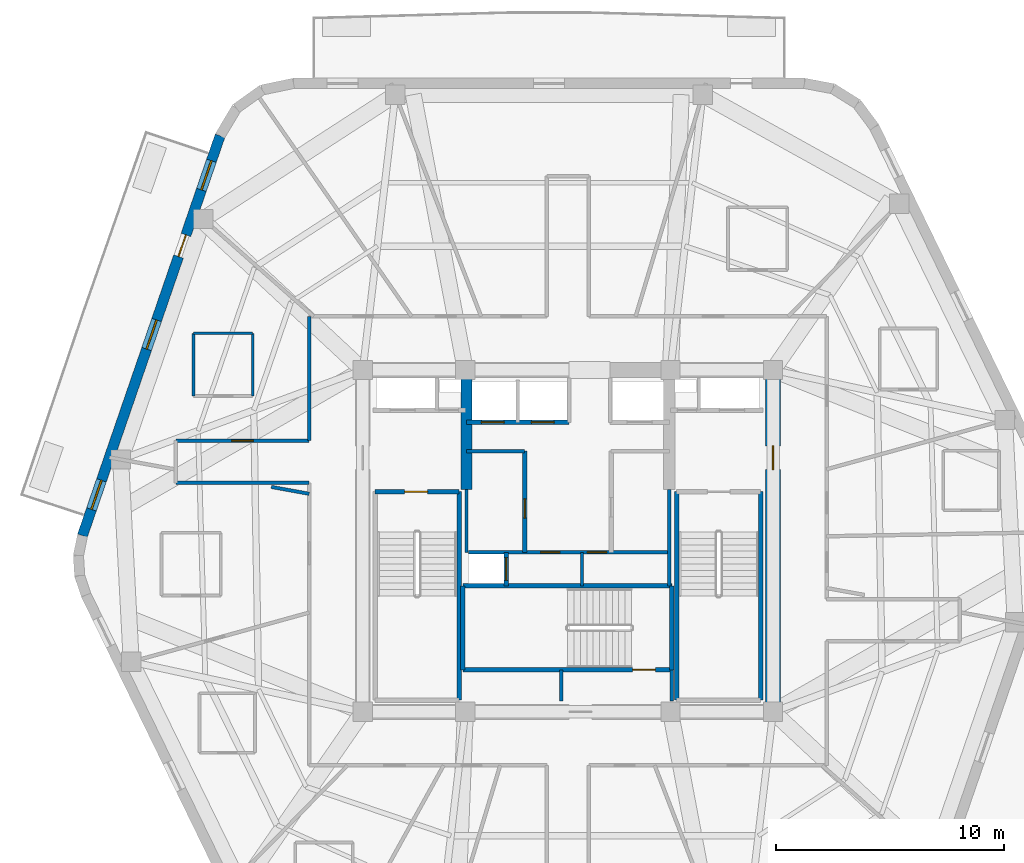
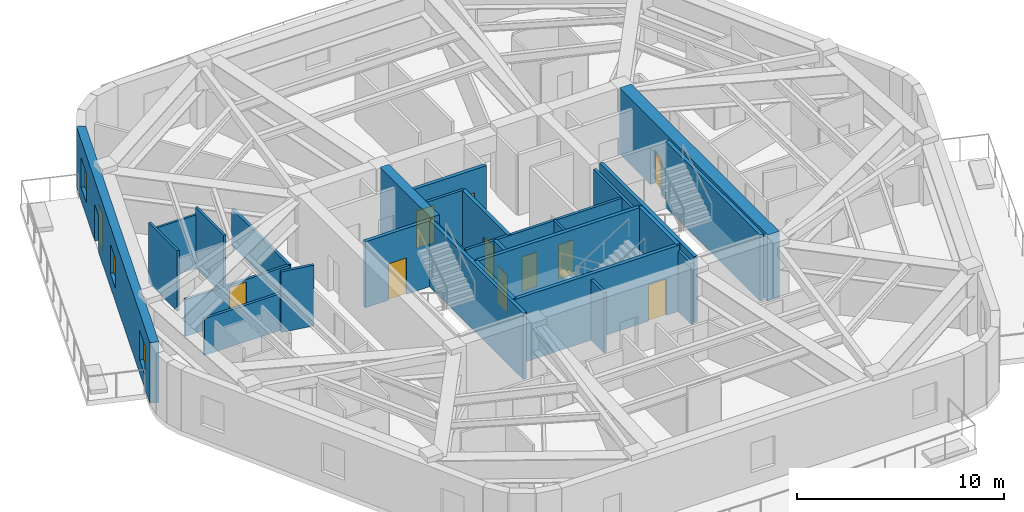
# One storey, part 4 of 9: 28 walls, 11 doors, 3 windows, 14 openings.
"""IFC4 building model written with IfcOpenShell, lengths in metres."""

import ifcopenshell
import ifcopenshell.guid

model = None  # the IFC model being written
_history = None  # IfcOwnerHistory: only IFC2X3 demands one
_inside = {}  # id of a spatial element -> (the spatial element, [elements in it])
_under = {}  # id of a project, library or spatial element -> (it, [spatial elements below it])
_declared = {}  # id of a project -> (the project, [libraries it declares])
_typed = {}  # id of a type object -> (the type object, [elements of that type])
_made_of = {}  # id of a material, layer set ... -> (it, [elements and type objects made of it])


def new_model(schema):
    """Start an empty IFC model of exactly this schema.

    Asked for "IFC4X3", IfcOpenShell would pick the latest addendum, in which some entities
    have other attributes; the version numbers below select the first issue.
    IFC2X3 requires an IfcOwnerHistory on every rooted entity: one is made here for all.
    """
    global model, _history
    if schema == "IFC4X3":
        model = ifcopenshell.file(schema_version=(4, 3, 0, 0))
    else:
        model = ifcopenshell.file(schema=schema)
    _inside.clear()
    _under.clear()
    _declared.clear()
    _typed.clear()
    _made_of.clear()
    _history = None
    if model.schema == "IFC2X3":
        org = make("IfcOrganization", Name="unknown")
        user = make(
            "IfcPersonAndOrganization",
            ThePerson=make("IfcPerson", FamilyName="unknown"),
            TheOrganization=org,
        )
        app = make(
            "IfcApplication",
            ApplicationDeveloper=org,
            Version="unknown",
            ApplicationFullName="unknown",
            ApplicationIdentifier="unknown",
        )
        _history = make(
            "IfcOwnerHistory",
            OwningUser=user,
            OwningApplication=app,
            ChangeAction="ADDED",
            CreationDate=0,
        )
    return model


def make(cls, **values):
    """One entity of the class cls with the attributes given. An attribute that is None is left unset."""
    return model.create_entity(
        cls, **{name: value for name, value in values.items() if value is not None}
    )


def rooted(cls, **values):
    """An entity with a GlobalId (a new one), such as an element, a storey or a relation."""
    return make(cls, GlobalId=ifcopenshell.guid.new(), OwnerHistory=_history, **values)


def si_unit(unit_type, name, prefix=None):
    """IfcSIUnit, for example si_unit("LENGTHUNIT", "METRE", prefix="MILLI")."""
    return make("IfcSIUnit", UnitType=unit_type, Prefix=prefix, Name=name)


def assignment(units):
    """IfcUnitAssignment: the units of a project."""
    return None if units is None else make("IfcUnitAssignment", Units=units)


def point(xyz):
    """IfcCartesianPoint."""
    return None if xyz is None else make("IfcCartesianPoint", Coordinates=xyz)


def direction(xyz):
    """IfcDirection."""
    return None if xyz is None else make("IfcDirection", DirectionRatios=xyz)


def frame(location, z_axis=None, x_axis=None):
    """IfcAxis2Placement3D, a coordinate frame: its origin and axes. An axis left out is left unset."""
    return make(
        "IfcAxis2Placement3D",
        Location=point(location),
        Axis=direction(z_axis),
        RefDirection=direction(x_axis),
    )


def frame_2d(location, x_axis=None):
    """IfcAxis2Placement2D, a coordinate frame in the plane: its origin and x axis."""
    return make(
        "IfcAxis2Placement2D", Location=point(location), RefDirection=direction(x_axis)
    )


def origin():
    """The frame at (0, 0, 0) with its axes left unset."""
    return frame((0.0, 0.0, 0.0))


def place(relative_to, where):
    """IfcLocalPlacement: puts the frame where relative to a parent placement (None: the world)."""
    return make(
        "IfcLocalPlacement", PlacementRelTo=relative_to, RelativePlacement=where
    )


def context(
    kind, dimensions, precision=None, world=None, true_north=None, identifier=None
):
    """IfcGeometricRepresentationContext, for example the 3D "Model" context."""
    return make(
        "IfcGeometricRepresentationContext",
        ContextIdentifier=identifier,
        ContextType=kind,
        CoordinateSpaceDimension=dimensions,
        Precision=precision,
        WorldCoordinateSystem=world,
        TrueNorth=true_north,
    )


def subcontext(parent, identifier, kind, view, scale=None):
    """IfcGeometricRepresentationSubContext, for example "Body" below "Model"."""
    return make(
        "IfcGeometricRepresentationSubContext",
        ContextIdentifier=identifier,
        ContextType=kind,
        ParentContext=parent,
        TargetScale=scale,
        TargetView=view,
    )


def project(units=None, contexts=None):
    """IfcProject with its units and contexts."""
    return rooted(
        "IfcProject",
        Name="project",
        RepresentationContexts=contexts,
        UnitsInContext=assignment(units),
    )


def spatial(cls, under=None, at=None, **own):
    """A site, building, storey or space (cls), placed at a placement, below another one or the project."""
    s = rooted(cls, ObjectPlacement=at, **own)
    if under is not None:
        _under.setdefault(under.id(), (under, []))[1].append(s)
    return s


def profile(cls, at=None, kind="AREA", **sizes):
    """A parametric profile (cls). Its sizes go by their IFC names, for example OverallWidth=200.0."""
    return make(cls, ProfileType=kind, Position=at, **sizes)


def rectangle(**sizes):
    """IfcRectangleProfileDef."""
    return profile("IfcRectangleProfileDef", **sizes)


def extrude(swept, where, along, depth):
    """IfcExtrudedAreaSolid: the profile swept, set in the frame where, extruded along a direction by depth."""
    return make(
        "IfcExtrudedAreaSolid",
        SweptArea=swept,
        Position=where,
        ExtrudedDirection=direction(along),
        Depth=depth,
    )


def shape(context_of_items, identifier, shape_type, items):
    """IfcShapeRepresentation: the items that make up one representation, for example the "Body"."""
    return make(
        "IfcShapeRepresentation",
        ContextOfItems=context_of_items,
        RepresentationIdentifier=identifier,
        RepresentationType=shape_type,
        Items=items,
    )


def material(Name=None, Category=None):
    """IfcMaterial."""
    return make("IfcMaterial", Name=Name, Category=Category)


def layer(
    of_material, thickness, ventilated=None, Name=None, Category=None, Priority=None
):
    """IfcMaterialLayer: one layer of a wall or slab, of a material (None: an air gap)."""
    return make(
        "IfcMaterialLayer",
        Material=of_material,
        LayerThickness=thickness,
        IsVentilated=ventilated,
        Name=Name,
        Category=Category,
        Priority=Priority,
    )


def layer_set(layers, Name=None):
    """IfcMaterialLayerSet."""
    return make("IfcMaterialLayerSet", MaterialLayers=layers, LayerSetName=Name)


def made_of(thing, what):
    """Note that an element or type object is made of a material, layer set ...; save() writes the relation."""
    if what is not None:
        _made_of.setdefault(what.id(), (what, []))[1].append(thing)
    return thing


def type_object(cls, material=None, **own):
    """A type object (cls), such as IfcWallType, which elements share."""
    return made_of(rooted(cls, **own), material)


def element(
    cls,
    number,
    at=None,
    inside=None,
    cuts=None,
    type_object=None,
    material=None,
    context=None,
    identifier="Body",
    shape_type=None,
    held_by="IfcProductDefinitionShape",
    body=None,
    shapes=None,
    **own,
):
    """One element of the class cls, such as IfcWall. Its Tag is "e" and its number.

    at: its placement. inside: the storey or other place that contains it. cuts: it is an
    opening in that element (IfcRelVoidsElement). A single representation is given by context,
    identifier, shape_type and body (its items); several are given by shapes. held_by: the class
    of the entity that holds the representations. save() writes the other relations.
    """
    e = rooted(cls, Tag="e%d" % number, ObjectPlacement=at, **own)
    if body is not None:
        shapes = [shape(context, identifier, shape_type, body)]
    if shapes is not None:
        e.Representation = make(held_by, Representations=shapes)
    if inside is not None:
        _inside.setdefault(inside.id(), (inside, []))[1].append(e)
    if cuts is not None:
        rooted(
            "IfcRelVoidsElement", RelatingBuildingElement=cuts, RelatedOpeningElement=e
        )
    if type_object is not None:
        _typed.setdefault(type_object.id(), (type_object, []))[1].append(e)
    return made_of(e, material)


def fill(opening, filler):
    """IfcRelFillsElement: the door or window that sits in an opening."""
    return rooted(
        "IfcRelFillsElement",
        RelatingOpeningElement=opening,
        RelatedBuildingElement=filler,
    )


def aggregate(whole, parts):
    """IfcRelAggregates: a whole, such as a stair, and the parts it consists of."""
    return rooted("IfcRelAggregates", RelatingObject=whole, RelatedObjects=parts)


def save(model, path):
    """Write the relations noted so far, then the file.

    IfcRelAggregates (storeys below a building ...), IfcRelContainedInSpatialStructure (elements
    in a storey), IfcRelDefinesByType, IfcRelAssociatesMaterial and IfcRelDeclares: one each for
    every whole, place, type object, material and project.
    """
    for whole, parts in _under.values():
        aggregate(whole, parts)
    for where, things in _inside.values():
        rooted(
            "IfcRelContainedInSpatialStructure",
            RelatedElements=things,
            RelatingStructure=where,
        )
    for kind, things in _typed.values():
        rooted("IfcRelDefinesByType", RelatedObjects=things, RelatingType=kind)
    for what, things in _made_of.values():
        rooted("IfcRelAssociatesMaterial", RelatedObjects=things, RelatingMaterial=what)
    for by, libraries in _declared.values():
        rooted("IfcRelDeclares", RelatingContext=by, RelatedDefinitions=libraries)
    model.write(path)


model = new_model("IFC4")

# Units and contexts
model_context = context("Model", 3, precision=1e-05, world=origin(), true_north=direction((0.0, 1.0)))
body_context = subcontext(model_context, "Body", "Model", "MODEL_VIEW")
ifc_project = project(units=[si_unit("LENGTHUNIT", "METRE"), si_unit("AREAUNIT", "SQUARE_METRE"), si_unit("VOLUMEUNIT", "CUBIC_METRE"), si_unit("PLANEANGLEUNIT", "RADIAN"), si_unit("MASSUNIT", "GRAM", prefix="KILO")], contexts=[model_context])

# Site, building, storey
site_placement = place(None, origin())
site = spatial("IfcSite", under=ifc_project, at=site_placement, CompositionType="ELEMENT")
building_placement = place(site_placement, origin())
building = spatial("IfcBuilding", under=site, at=building_placement, Name="Kilnhurst Terrace Hotel", CompositionType="ELEMENT")
storey_placement = place(building_placement, frame((0.0, 0.0, 301.5)))
storey = spatial("IfcBuildingStorey", under=building, at=storey_placement, Name="L75", CompositionType="ELEMENT", Elevation=301.5)

# Wall, openings, door, windows
ifc_material_1 = material(Name="Precast concrete C40/50", Category="concrete")
ifc_layer_1 = layer(ifc_material_1, 0.449951171875, Name="Precast concrete C40/50")
ifc_layer_set_1 = layer_set([ifc_layer_1], Name="Precast concrete C40/50")
wall_type_1 = type_object("IfcWallType", Name="WL-BRK-450", PredefinedType="SOLIDWALL", material=ifc_layer_set_1)
wall_1_placement = place(storey_placement, frame((-15.260498046875, 17.776123046875, 0.0), z_axis=(0.0, 0.0, 1.0), x_axis=(-0.325407437101, -0.945573899745, 0.0)))
wall_1 = element("IfcWall", 1, at=wall_1_placement, inside=storey, type_object=wall_type_1, Name="L75 Exterior Brick Facade Wall F5", PredefinedType="SOLIDWALL", context=body_context, shape_type="SweptSolid", body=[
    extrude(rectangle(XDim=18.552490234375, YDim=0.449951171875, at=frame_2d((9.2763671875, 0.0))), origin(), (0.0, 0.0, 1.0), 3.580078125),
])
opening_1_placement = place(wall_1_placement, frame((4.60205078125, 0.0, 0.0)))
opening_1 = element("IfcOpeningElement", 2, at=opening_1_placement, cuts=wall_1, Name="Opening BD-1000", PredefinedType="OPENING", context=body_context, shape_type="SweptSolid", body=[
    extrude(rectangle(XDim=1.0, YDim=2.14990234375, at=frame_2d((0.5, 1.074951171875))), frame((0.0, 0.23486328125, 0.0), z_axis=(0.0, -1.0, 0.0), x_axis=(1.0, 0.0, 0.0)), (0.0, 0.0, 1.0), 0.469970703125),
])
opening_2_placement = place(wall_1_placement, frame((1.160888671875, 0.0, 0.800048828125)))
opening_2 = element("IfcOpeningElement", 3, at=opening_2_placement, cuts=wall_1, Name="Opening W-06", PredefinedType="OPENING", context=body_context, shape_type="SweptSolid", body=[
    extrude(rectangle(XDim=1.35009765625, YDim=1.75, at=frame_2d((0.675048828125, 0.875))), frame((0.0, 0.23486328125, 0.0), z_axis=(0.0, -1.0, 0.0), x_axis=(1.0, 0.0, 0.0)), (0.0, 0.0, 1.0), 0.469970703125),
])
opening_3_placement = place(wall_1_placement, frame((8.548095703125, 0.0, 0.800048828125)))
opening_3 = element("IfcOpeningElement", 4, at=opening_3_placement, cuts=wall_1, Name="Opening W-06", PredefinedType="OPENING", context=body_context, shape_type="SweptSolid", body=[
    extrude(rectangle(XDim=1.35009765625, YDim=1.75, at=frame_2d((0.675048828125, 0.875))), frame((0.0, 0.23486328125, 0.0), z_axis=(0.0, -1.0, 0.0), x_axis=(1.0, 0.0, 0.0)), (0.0, 0.0, 1.0), 0.469970703125),
])
opening_4_placement = place(wall_1_placement, frame((15.987060546875, 0.0, 0.800048828125)))
opening_4 = element("IfcOpeningElement", 5, at=opening_4_placement, cuts=wall_1, Name="Opening W-06", PredefinedType="OPENING", context=body_context, shape_type="SweptSolid", body=[
    extrude(rectangle(XDim=1.35009765625, YDim=1.75, at=frame_2d((0.675048828125, 0.875))), frame((0.0, 0.23486328125, 0.0), z_axis=(0.0, -1.0, 0.0), x_axis=(1.0, 0.0, 0.0)), (0.0, 0.0, 1.0), 0.469970703125),
])
ifc_material_2 = material(Name="Thermally Broken Bronze Aluminium Alloy 6063-T6 and Laminated Glass", Category="aluminium")
door_type_1 = type_object("IfcDoorType", Name="DR-EXT-BAL-1000", OperationType="NOTDEFINED", PredefinedType="DOOR", material=ifc_material_2)
door_1_placement = place(opening_1_placement, origin())
door_1 = element("IfcDoor", 6, at=door_1_placement, inside=storey, type_object=door_type_1, Name="L75 Planted Balcony Door BAL-L2B", OperationType="SINGLE_SWING_LEFT", OverallHeight=2.14990234375, OverallWidth=1.0, PredefinedType="DOOR", context=body_context, shape_type="SweptSolid", body=[
    extrude(rectangle(XDim=1.0, YDim=2.14990234375, at=frame_2d((0.5, 1.074951171875))), frame((0.0, 0.02490234375, 0.0), z_axis=(0.0, -1.0, 0.0), x_axis=(1.0, 0.0, 0.0)), (0.0, 0.0, 1.0), 0.050048828125),
])
fill(opening_1, door_1)
ifc_material_3 = material(Name="Thermally Broken Bronze Aluminium Alloy 6063-T6 and Low-E Glass", Category="aluminium")
window_type = type_object("IfcWindowType", Name="WIN-1350X1750", PartitioningType="SINGLE_PANEL", PredefinedType="WINDOW", material=ifc_material_3)
window_1_placement = place(opening_2_placement, origin())
window_1 = element("IfcWindow", 7, at=window_1_placement, inside=storey, type_object=window_type, Name="L75 Deep-Set Masonry Window F5.1", OverallHeight=1.75, OverallWidth=1.35009765625, PartitioningType="SINGLE_PANEL", PredefinedType="WINDOW", context=body_context, shape_type="SweptSolid", body=[
    extrude(rectangle(XDim=1.35009765625, YDim=1.75, at=frame_2d((0.675048828125, 0.875))), frame((0.0, 0.030029296875, 0.0), z_axis=(0.0, -1.0, 0.0), x_axis=(1.0, 0.0, 0.0)), (0.0, 0.0, 1.0), 0.06005859375),
])
fill(opening_2, window_1)
window_2_placement = place(opening_3_placement, origin())
window_2 = element("IfcWindow", 8, at=window_2_placement, inside=storey, type_object=window_type, Name="L75 Deep-Set Masonry Window F5.2", OverallHeight=1.75, OverallWidth=1.35009765625, PartitioningType="SINGLE_PANEL", PredefinedType="WINDOW", context=body_context, shape_type="SweptSolid", body=[
    extrude(rectangle(XDim=1.35009765625, YDim=1.75, at=frame_2d((0.675048828125, 0.875))), frame((0.0, 0.030029296875, 0.0), z_axis=(0.0, -1.0, 0.0), x_axis=(1.0, 0.0, 0.0)), (0.0, 0.0, 1.0), 0.06005859375),
])
fill(opening_3, window_2)
window_3_placement = place(opening_4_placement, origin())
window_3 = element("IfcWindow", 9, at=window_3_placement, inside=storey, type_object=window_type, Name="L75 Deep-Set Masonry Window F5.3", OverallHeight=1.75, OverallWidth=1.35009765625, PartitioningType="SINGLE_PANEL", PredefinedType="WINDOW", context=body_context, shape_type="SweptSolid", body=[
    extrude(rectangle(XDim=1.35009765625, YDim=1.75, at=frame_2d((0.675048828125, 0.875))), frame((0.0, 0.030029296875, 0.0), z_axis=(0.0, -1.0, 0.0), x_axis=(1.0, 0.0, 0.0)), (0.0, 0.0, 1.0), 0.06005859375),
])
fill(opening_4, window_3)

# Wall
ifc_material_4 = material(Name="Acoustic Double-Gypsum Corridor Partition Assembly")
ifc_layer_2 = layer(ifc_material_4, 0.14990234375, Name="Acoustic Double-Gypsum Corridor Partition Assembly")
ifc_layer_set_2 = layer_set([ifc_layer_2], Name="Acoustic Double-Gypsum Corridor Partition Assembly")
wall_type_2 = type_object("IfcWallType", Name="WL-COR-150", PredefinedType="PARTITIONING", material=ifc_layer_set_2)
wall_2_placement = place(storey_placement, frame((-11.35009765625, 2.550048828125, 0.0), z_axis=(0.0, 0.0, 1.0), x_axis=(-1.0, 0.0, 0.0)))
element("IfcWall", 10, at=wall_2_placement, inside=storey, type_object=wall_type_2, Name="L75 Interior Wall WL-L75-COR-02", PredefinedType="PARTITIONING", context=body_context, shape_type="SweptSolid", body=[
    extrude(rectangle(XDim=5.849853515625, YDim=0.14990234375, at=frame_2d((2.9248046875, 0.0))), origin(), (0.0, 0.0, 1.0), 2.169921875),
])

# Wall, opening, door
wall_3_placement = place(storey_placement, frame((-17.199951171875, 4.39990234375, 0.0), z_axis=(0.0, 0.0, 1.0), x_axis=(1.0, 0.0, 0.0)))
wall_3 = element("IfcWall", 11, at=wall_3_placement, inside=storey, type_object=wall_type_2, Name="L75 Interior Wall WL-L75-COR-04", PredefinedType="PARTITIONING", context=body_context, shape_type="SweptSolid", body=[
    extrude(rectangle(XDim=5.849853515625, YDim=0.14990234375, at=frame_2d((2.9248046875, 0.0))), origin(), (0.0, 0.0, 1.0), 2.169921875),
])
opening_5_placement = place(wall_3_placement, frame((2.449951171875, 0.0, 0.0)))
opening_5 = element("IfcOpeningElement", 12, at=opening_5_placement, cuts=wall_3, Name="Opening D-60B", PredefinedType="OPENING", context=body_context, shape_type="SweptSolid", body=[
    extrude(rectangle(XDim=0.949951171875, YDim=2.030029296875, at=frame_2d((0.47509765625, 1.01513671875))), frame((0.0, 0.0849609375, 0.0), z_axis=(0.0, -1.0, 0.0), x_axis=(1.0, 0.0, 0.0)), (0.0, 0.0, 1.0), 0.169921875),
])
ifc_material_5 = material(Name="Acoustic Walnut Veneer Solid-Core Fire Door")
door_type_2 = type_object("IfcDoorType", Name="DR-FD60-950", OperationType="NOTDEFINED", PredefinedType="DOOR", material=ifc_material_5)
door_2_placement = place(opening_5_placement, origin())
door_2 = element("IfcDoor", 13, at=door_2_placement, inside=storey, type_object=door_type_2, Name="L75 Executive Suite Entry Door 7", OperationType="SINGLE_SWING_LEFT", OverallHeight=2.030029296875, OverallWidth=0.949951171875, PredefinedType="DOOR", context=body_context, shape_type="SweptSolid", body=[
    extrude(rectangle(XDim=0.949951171875, YDim=2.030029296875, at=frame_2d((0.47509765625, 1.01513671875))), frame((0.0, 0.02490234375, 0.0), z_axis=(0.0, -1.0, 0.0), x_axis=(1.0, 0.0, 0.0)), (0.0, 0.0, 1.0), 0.050048828125),
])
fill(opening_5, door_2)

# Wall
wall_4_placement = place(storey_placement, frame((-11.35009765625, 4.39990234375, 0.0), z_axis=(0.0, 0.0, 1.0), x_axis=(0.0, 1.0, 0.0)))
element("IfcWall", 14, at=wall_4_placement, inside=storey, type_object=wall_type_2, Name="L75 Interior Wall WL-L75-COR-05", PredefinedType="PARTITIONING", context=body_context, shape_type="SweptSolid", body=[
    extrude(rectangle(XDim=5.4501953125, YDim=0.14990234375, at=frame_2d((2.72509765625, 0.0))), origin(), (0.0, 0.0, 1.0), 2.169921875),
])

# Wall, opening, door
ifc_material_6 = material(Name="Concrete C60/75", Category="concrete")
ifc_layer_3 = layer(ifc_material_6, 0.64990234375, Name="Concrete C60/75")
ifc_layer_set_3 = layer_set([ifc_layer_3], Name="Concrete C60/75")
wall_type_3 = type_object("IfcWallType", Name="WL-CORE-650", PredefinedType="SHEAR", material=ifc_layer_set_3)
wall_5_placement = place(storey_placement, frame((9.0, -7.175048828125, 0.0), z_axis=(0.0, 0.0, 1.0), x_axis=(0.0, 1.0, 0.0)))
wall_5 = element("IfcWall", 15, at=wall_5_placement, inside=storey, type_object=wall_type_3, Name="L75 Core East Shear Wall", PredefinedType="SHEAR", context=body_context, shape_type="SweptSolid", body=[
    extrude(rectangle(XDim=14.35009765625, YDim=0.64990234375, at=frame_2d((7.175048828125, 0.0))), origin(), (0.0, 0.0, 1.0), 3.89990234375),
])
opening_6_placement = place(wall_5_placement, frame((10.300048828125, 0.0, 0.0)))
opening_6 = element("IfcOpeningElement", 16, at=opening_6_placement, cuts=wall_5, Name="Opening D-90A", PredefinedType="OPENING", context=body_context, shape_type="SweptSolid", body=[
    extrude(rectangle(XDim=1.050048828125, YDim=2.14990234375, at=frame_2d((0.52490234375, 1.074951171875))), frame((0.0, 0.3349609375, 0.0), z_axis=(0.0, -1.0, 0.0), x_axis=(1.0, 0.0, 0.0)), (0.0, 0.0, 1.0), 0.669921875),
])
ifc_material_7 = material(Name="Painted Hollow Metal Steel ASTM A36 Fire Door", Category="steel")
door_type_3 = type_object("IfcDoorType", Name="DR-FD90-1050", OperationType="NOTDEFINED", PredefinedType="DOOR", material=ifc_material_7)
door_3_placement = place(opening_6_placement, origin())
door_3 = element("IfcDoor", 17, at=door_3_placement, inside=storey, type_object=door_type_3, Name="L75 East Firefighting Lobby Door", OperationType="SINGLE_SWING_LEFT", OverallHeight=2.14990234375, OverallWidth=1.050048828125, PredefinedType="DOOR", context=body_context, shape_type="SweptSolid", body=[
    extrude(rectangle(XDim=1.050048828125, YDim=2.14990234375, at=frame_2d((0.52490234375, 1.074951171875))), frame((0.0, 0.02490234375, 0.0), z_axis=(0.0, -1.0, 0.0), x_axis=(1.0, 0.0, 0.0)), (0.0, 0.0, 1.0), 0.050048828125),
])
fill(opening_6, door_3)

# Walls
ifc_layer_4 = layer(ifc_material_6, 0.5, Name="Concrete C60/75")
ifc_layer_set_4 = layer_set([ifc_layer_4], Name="Concrete C60/75")
wall_type_4 = type_object("IfcWallType", Name="WL-CORE-WEB-500", PredefinedType="SHEAR", material=ifc_layer_set_4)
wall_6_placement = place(storey_placement, frame((-4.449951171875, 2.25, 0.0), z_axis=(0.0, 0.0, 1.0), x_axis=(0.0, 1.0, 0.0)))
element("IfcWall", 18, at=wall_6_placement, inside=storey, type_object=wall_type_4, Name="L75 Core Internal West Shear Web", PredefinedType="SHEAR", context=body_context, shape_type="SweptSolid", body=[
    extrude(rectangle(XDim=4.925048828125, YDim=0.5, at=frame_2d((2.46240234375, 0.0))), origin(), (0.0, 0.0, 1.0), 3.89990234375),
])
ifc_material_8 = material(Name="STC-58 Acoustic Twin-Frame Guestroom Demising Partition")
ifc_layer_5 = layer(ifc_material_8, 0.14990234375, Name="STC-58 Acoustic Twin-Frame Guestroom Demising Partition")
ifc_layer_set_5 = layer_set([ifc_layer_5], Name="STC-58 Acoustic Twin-Frame Guestroom Demising Partition")
wall_type_5 = type_object("IfcWallType", Name="WL-DEM-150", PredefinedType="PARTITIONING", material=ifc_layer_set_5)
wall_7_placement = place(storey_placement, frame((-11.35009765625, 2.067138671875, 0.0), z_axis=(0.0, 0.0, 1.0), x_axis=(-0.983807459651, 0.179228575665, 0.0)))
element("IfcWall", 19, at=wall_7_placement, inside=storey, type_object=wall_type_5, Name="L75 Interior Wall WL-L75-DEM-COL06-08-1", PredefinedType="PARTITIONING", context=body_context, shape_type="SweptSolid", body=[
    extrude(rectangle(XDim=1.6904296875, YDim=0.14990234375, at=frame_2d((0.84521484375, 0.0))), origin(), (0.0, 0.0, 1.0), 3.580078125),
])
ifc_material_9 = material(Name="120 mm Moisture-Resistant Tile-Backed Bathroom Partition")
ifc_layer_6 = layer(ifc_material_9, 0.1201171875, Name="120 mm Moisture-Resistant Tile-Backed Bathroom Partition")
ifc_layer_set_6 = layer_set([ifc_layer_6], Name="120 mm Moisture-Resistant Tile-Backed Bathroom Partition")
wall_type_6 = type_object("IfcWallType", Name="WL-PART-120", PredefinedType="PARTITIONING", material=ifc_layer_set_6)
wall_8_placement = place(storey_placement, frame((0.6201171875, -1.971923828125, 0.0), z_axis=(0.0, 0.0, 1.0), x_axis=(0.0, 1.0, 0.0)))
element("IfcWall", 20, at=wall_8_placement, inside=storey, type_object=wall_type_6, Name="L75 Interior Wall WL-L75-BOH-C1", PredefinedType="PARTITIONING", context=body_context, shape_type="SweptSolid", body=[
    extrude(rectangle(XDim=1.471923828125, YDim=0.1201171875, at=frame_2d((0.73583984375, 0.0))), origin(), (0.0, 0.0, 1.0), 3.580078125),
])
wall_9_placement = place(storey_placement, frame((-13.827880859375, 6.35888671875, 0.0), z_axis=(0.0, 0.0, 1.0), x_axis=(0.0, 1.0, 0.0)))
element("IfcWall", 21, at=wall_9_placement, inside=storey, type_object=wall_type_6, Name="L75 Interior Wall WL-L75-BTH-07-2", PredefinedType="PARTITIONING", context=body_context, shape_type="SweptSolid", body=[
    extrude(rectangle(XDim=2.75, YDim=0.1201171875, at=frame_2d((1.375, 0.0))), origin(), (0.0, 0.0, 1.0), 3.580078125),
])
wall_10_placement = place(storey_placement, frame((-13.827880859375, 9.10888671875, 0.0), z_axis=(0.0, 0.0, 1.0), x_axis=(-1.0, 0.0, 0.0)))
element("IfcWall", 22, at=wall_10_placement, inside=storey, type_object=wall_type_6, Name="L75 Interior Wall WL-L75-BTH-07-3", PredefinedType="PARTITIONING", context=body_context, shape_type="SweptSolid", body=[
    extrude(rectangle(XDim=2.60009765625, YDim=0.1201171875, at=frame_2d((1.300048828125, 0.0))), origin(), (0.0, 0.0, 1.0), 3.15234375),
])
wall_11_placement = place(storey_placement, frame((-16.427978515625, 9.10888671875, 0.0), z_axis=(0.0, 0.0, 1.0), x_axis=(0.0, -1.0, 0.0)))
element("IfcWall", 23, at=wall_11_placement, inside=storey, type_object=wall_type_6, Name="L75 Interior Wall WL-L75-BTH-07-4", PredefinedType="PARTITIONING", context=body_context, shape_type="SweptSolid", body=[
    extrude(rectangle(XDim=2.75, YDim=0.1201171875, at=frame_2d((1.375, 0.0))), origin(), (0.0, 0.0, 1.0), 3.580078125),
])
ifc_material_10 = material(Name="Fire-Rated Gypsum Shaftliner Assembly")
ifc_layer_7 = layer(ifc_material_10, 0.14990234375, Name="Fire-Rated Gypsum Shaftliner Assembly")
ifc_layer_set_7 = layer_set([ifc_layer_7], Name="Fire-Rated Gypsum Shaftliner Assembly")
wall_type_7 = type_object("IfcWallType", Name="WL-SHAFT-150", PredefinedType="PARTITIONING", material=ifc_layer_set_7)
for number, where, z_axis, x_axis, name in (
    (24, (-0.300048828125, -7.02001953125, 0.0), (0.0, 0.0, 1.0), (0.0, 1.0, 0.0), "L75 Interior Wall WL-L75-ST3-PSGW"),
    (25, (4.55810546875, -7.02001953125, 0.0), (0.0, 0.0, 1.0), (0.0, 1.0, 0.0), "L75 Interior Wall WL-L75-ST3-PSGE"),
):
    element("IfcWall", number, at=place(storey_placement, frame(where, z_axis=z_axis, x_axis=x_axis)), inside=storey, type_object=wall_type_7, Name=name, PredefinedType="PARTITIONING", context=body_context, shape_type="SweptSolid", body=[
        extrude(rectangle(XDim=1.362060546875, YDim=0.14990234375, at=frame_2d((0.68115234375, 0.0))), origin(), (0.0, 0.0, 1.0), 3.580078125),
    ])
wall_12_placement = place(storey_placement, frame((-4.449951171875, -0.5, 0.0), z_axis=(0.0, 0.0, 1.0), x_axis=(0.0, 1.0, 0.0)))
element("IfcWall", 26, at=wall_12_placement, inside=storey, type_object=wall_type_7, Name="L75 Interior Wall WL-L75-XLOB-W", PredefinedType="PARTITIONING", context=body_context, shape_type="SweptSolid", body=[
    extrude(rectangle(XDim=2.75, YDim=0.14990234375, at=frame_2d((1.375, 0.0))), origin(), (0.0, 0.0, 1.0), 3.580078125),
])
wall_13_placement = place(storey_placement, frame((4.449951171875, -1.971923828125, 0.0), z_axis=(0.0, 0.0, 1.0), x_axis=(0.0, 1.0, 0.0)))
element("IfcWall", 27, at=wall_13_placement, inside=storey, type_object=wall_type_7, Name="L75 Interior Wall WL-L75-XLOB-E", PredefinedType="PARTITIONING", context=body_context, shape_type="SweptSolid", body=[
    extrude(rectangle(XDim=4.221923828125, YDim=0.14990234375, at=frame_2d((2.11083984375, 0.0))), origin(), (0.0, 0.0, 1.0), 3.580078125),
])
wall_14_placement = place(storey_placement, frame((-4.449951171875, 3.93994140625, 0.0), z_axis=(0.0, 0.0, 1.0), x_axis=(1.0, 0.0, 0.0)))
element("IfcWall", 28, at=wall_14_placement, inside=storey, type_object=wall_type_7, Name="L75 Interior Wall WL-L75-LR-NORTH", PredefinedType="PARTITIONING", context=body_context, shape_type="SweptSolid", body=[
    extrude(rectangle(XDim=2.550048828125, YDim=0.14990234375, at=frame_2d((1.27490234375, 0.0))), origin(), (0.0, 0.0, 1.0), 3.580078125),
])

# Wall, openings, doors
wall_15_placement = place(storey_placement, frame((-4.360107421875, -0.489990234375, 0.0), z_axis=(0.0, 0.0, 1.0), x_axis=(1.0, 0.0, 0.0)))
wall_15 = element("IfcWall", 29, at=wall_15_placement, inside=storey, type_object=wall_type_7, Name="L75 Interior Wall WL-L75-BOH-N", PredefinedType="PARTITIONING", context=body_context, shape_type="SweptSolid", body=[
    extrude(rectangle(XDim=8.72021484375, YDim=0.14990234375, at=frame_2d((4.360107421875, 0.0))), origin(), (0.0, 0.0, 1.0), 3.580078125),
])
opening_7_placement = place(wall_15_placement, frame((3.159912109375, 0.0, 0.0)))
opening_7 = element("IfcOpeningElement", 30, at=opening_7_placement, cuts=wall_15, Name="Opening D-60D", PredefinedType="OPENING", context=body_context, shape_type="SweptSolid", body=[
    extrude(rectangle(XDim=0.85009765625, YDim=2.030029296875, at=frame_2d((0.425048828125, 1.01513671875))), frame((0.0, 0.0849609375, 0.0), z_axis=(0.0, -1.0, 0.0), x_axis=(1.0, 0.0, 0.0)), (0.0, 0.0, 1.0), 0.169921875),
])
opening_8_placement = place(wall_15_placement, frame((5.2099609375, 0.0, 0.0)))
opening_8 = element("IfcOpeningElement", 31, at=opening_8_placement, cuts=wall_15, Name="Opening D-60D", PredefinedType="OPENING", context=body_context, shape_type="SweptSolid", body=[
    extrude(rectangle(XDim=0.85009765625, YDim=2.030029296875, at=frame_2d((0.425048828125, 1.01513671875))), frame((0.0, 0.0849609375, 0.0), z_axis=(0.0, -1.0, 0.0), x_axis=(1.0, 0.0, 0.0)), (0.0, 0.0, 1.0), 0.169921875),
])
ifc_material_11 = material(Name="Painted Hollow Metal Steel ASTM A36 Riser Door", Category="steel")
door_type_4 = type_object("IfcDoorType", Name="DR-FD60-850", OperationType="NOTDEFINED", PredefinedType="DOOR", material=ifc_material_11)
door_4_placement = place(opening_7_placement, origin())
door_4 = element("IfcDoor", 32, at=door_4_placement, inside=storey, type_object=door_type_4, Name="L75 Housekeeping Laundry Door", OperationType="SINGLE_SWING_LEFT", OverallHeight=2.030029296875, OverallWidth=0.85009765625, PredefinedType="DOOR", context=body_context, shape_type="SweptSolid", body=[
    extrude(rectangle(XDim=0.85009765625, YDim=2.030029296875, at=frame_2d((0.425048828125, 1.01513671875))), frame((0.0, 0.02490234375, 0.0), z_axis=(0.0, -1.0, 0.0), x_axis=(1.0, 0.0, 0.0)), (0.0, 0.0, 1.0), 0.050048828125),
])
fill(opening_7, door_4)
door_5_placement = place(opening_8_placement, origin())
door_5 = element("IfcDoor", 33, at=door_5_placement, inside=storey, type_object=door_type_4, Name="L75 Room Service Kitchen Door", OperationType="SINGLE_SWING_RIGHT", OverallHeight=2.030029296875, OverallWidth=0.85009765625, PredefinedType="DOOR", context=body_context, shape_type="SweptSolid", body=[
    extrude(rectangle(XDim=0.85009765625, YDim=2.030029296875, at=frame_2d((0.425048828125, 1.01513671875))), frame((0.0, 0.02490234375, 0.0), z_axis=(0.0, -1.0, 0.0), x_axis=(1.0, 0.0, 0.0)), (0.0, 0.0, 1.0), 0.050048828125),
])
fill(opening_8, door_5)

# Wall, opening, door
ifc_material_12 = material(Name="Autoclaved Aerated Concrete C30/37 and Gypsum Shaft Assembly", Category="concrete")
ifc_layer_8 = layer(ifc_material_12, 0.199951171875, Name="Autoclaved Aerated Concrete C30/37 and Gypsum Shaft Assembly")
ifc_layer_set_8 = layer_set([ifc_layer_8], Name="Autoclaved Aerated Concrete C30/37 and Gypsum Shaft Assembly")
wall_type_8 = type_object("IfcWallType", Name="WL-SHAFT-200", PredefinedType="PARTITIONING", material=ifc_layer_set_8)
wall_16_placement = place(storey_placement, frame((-2.699951171875, -1.971923828125, 0.0), z_axis=(0.0, 0.0, 1.0), x_axis=(0.0, 1.0, 0.0)))
wall_16 = element("IfcWall", 34, at=wall_16_placement, inside=storey, type_object=wall_type_8, Name="L75 Interior Wall WL-L75-SRV1-E", PredefinedType="PARTITIONING", context=body_context, shape_type="SweptSolid", body=[
    extrude(rectangle(XDim=1.471923828125, YDim=0.199951171875, at=frame_2d((0.73583984375, 0.0))), origin(), (0.0, 0.0, 1.0), 3.580078125),
])
opening_9_placement = place(wall_16_placement, frame((0.239990234375, 0.0, 0.0)))
opening_9 = element("IfcOpeningElement", 35, at=opening_9_placement, cuts=wall_16, Name="Opening LD-SV", PredefinedType="OPENING", context=body_context, shape_type="SweptSolid", body=[
    extrude(rectangle(XDim=1.0, YDim=2.199951171875, at=frame_2d((0.5, 1.10009765625))), frame((0.0, 0.10986328125, 0.0), z_axis=(0.0, -1.0, 0.0), x_axis=(1.0, 0.0, 0.0)), (0.0, 0.0, 1.0), 0.219970703125),
])
ifc_material_13 = material(Name="Bronze-Anodized Stainless Steel AISI 316L Sliding Door", Category="steel")
door_type_5 = type_object("IfcDoorType", Name="DR-LIFT-1000", OperationType="NOTDEFINED", PredefinedType="DOOR", material=ifc_material_13)
door_6_placement = place(opening_9_placement, origin())
door_6 = element("IfcDoor", 36, at=door_6_placement, inside=storey, type_object=door_type_5, Name="L75 Service Lift SRV-1 Landing Door", OperationType="SLIDING_TO_LEFT", OverallHeight=2.199951171875, OverallWidth=1.0, PredefinedType="DOOR", context=body_context, shape_type="SweptSolid", body=[
    extrude(rectangle(XDim=1.0, YDim=2.199951171875, at=frame_2d((0.5, 1.10009765625))), frame((0.0, 0.02490234375, 0.0), z_axis=(0.0, -1.0, 0.0), x_axis=(1.0, 0.0, 0.0)), (0.0, 0.0, 1.0), 0.050048828125),
])
fill(opening_9, door_6)

# Wall, openings, doors
wall_17_placement = place(storey_placement, frame((-4.449951171875, 5.199951171875, 0.0), z_axis=(0.0, 0.0, 1.0), x_axis=(1.0, 0.0, 0.0)))
wall_17 = element("IfcWall", 37, at=wall_17_placement, inside=storey, type_object=wall_type_8, Name="L75 Interior Wall WL-L75-HR-SW", PredefinedType="PARTITIONING", context=body_context, shape_type="SweptSolid", body=[
    extrude(rectangle(XDim=4.5, YDim=0.199951171875, at=frame_2d((2.25, 0.0))), origin(), (0.0, 0.0, 1.0), 3.580078125),
])
opening_10_placement = place(wall_17_placement, frame((0.64990234375, 0.0, 0.0)))
opening_10 = element("IfcOpeningElement", 38, at=opening_10_placement, cuts=wall_17, Name="Opening LD-HR", PredefinedType="OPENING", context=body_context, shape_type="SweptSolid", body=[
    extrude(rectangle(XDim=1.0, YDim=2.199951171875, at=frame_2d((0.5, 1.10009765625))), frame((0.0, 0.10986328125, 0.0), z_axis=(0.0, -1.0, 0.0), x_axis=(1.0, 0.0, 0.0)), (0.0, 0.0, 1.0), 0.219970703125),
])
opening_11_placement = place(wall_17_placement, frame((2.85009765625, 0.0, 0.0)))
opening_11 = element("IfcOpeningElement", 39, at=opening_11_placement, cuts=wall_17, Name="Opening LD-HS", PredefinedType="OPENING", context=body_context, shape_type="SweptSolid", body=[
    extrude(rectangle(XDim=1.0, YDim=2.199951171875, at=frame_2d((0.5, 1.10009765625))), frame((0.0, 0.10986328125, 0.0), z_axis=(0.0, -1.0, 0.0), x_axis=(1.0, 0.0, 0.0)), (0.0, 0.0, 1.0), 0.219970703125),
])
door_7_placement = place(opening_10_placement, origin())
door_7 = element("IfcDoor", 40, at=door_7_placement, inside=storey, type_object=door_type_5, Name="L75 High Rise Lift HR-1 Landing Door", OperationType="SLIDING_TO_LEFT", OverallHeight=2.199951171875, OverallWidth=1.0, PredefinedType="DOOR", context=body_context, shape_type="SweptSolid", body=[
    extrude(rectangle(XDim=1.0, YDim=2.199951171875, at=frame_2d((0.5, 1.10009765625))), frame((0.0, 0.02490234375, 0.0), z_axis=(0.0, -1.0, 0.0), x_axis=(1.0, 0.0, 0.0)), (0.0, 0.0, 1.0), 0.050048828125),
])
fill(opening_10, door_7)
door_8_placement = place(opening_11_placement, origin())
door_8 = element("IfcDoor", 41, at=door_8_placement, inside=storey, type_object=door_type_5, Name="L75 High Rise Lift HR-3 Landing Door", OperationType="SLIDING_TO_RIGHT", OverallHeight=2.199951171875, OverallWidth=1.0, PredefinedType="DOOR", context=body_context, shape_type="SweptSolid", body=[
    extrude(rectangle(XDim=1.0, YDim=2.199951171875, at=frame_2d((0.5, 1.10009765625))), frame((0.0, 0.02490234375, 0.0), z_axis=(0.0, -1.0, 0.0), x_axis=(1.0, 0.0, 0.0)), (0.0, 0.0, 1.0), 0.050048828125),
])
fill(opening_11, door_8)

# Wall, opening, door
wall_18_placement = place(storey_placement, frame((-1.89990234375, -0.5, 0.0), z_axis=(0.0, 0.0, 1.0), x_axis=(0.0, 1.0, 0.0)))
wall_18 = element("IfcWall", 42, at=wall_18_placement, inside=storey, type_object=wall_type_8, Name="L75 Interior Wall WL-L75-LR-FRONT", PredefinedType="PARTITIONING", context=body_context, shape_type="SweptSolid", body=[
    extrude(rectangle(XDim=4.43994140625, YDim=0.199951171875, at=frame_2d((2.219970703125, 0.0))), origin(), (0.0, 0.0, 1.0), 3.580078125),
])
opening_12_placement = place(wall_18_placement, frame((1.5, 0.0, 0.0)))
opening_12 = element("IfcOpeningElement", 43, at=opening_12_placement, cuts=wall_18, Name="Opening D-60D", PredefinedType="OPENING", context=body_context, shape_type="SweptSolid", body=[
    extrude(rectangle(XDim=0.85009765625, YDim=2.030029296875, at=frame_2d((0.425048828125, 1.01513671875))), frame((0.0, 0.10986328125, 0.0), z_axis=(0.0, -1.0, 0.0), x_axis=(1.0, 0.0, 0.0)), (0.0, 0.0, 1.0), 0.219970703125),
])
door_9_placement = place(opening_12_placement, origin())
door_9 = element("IfcDoor", 44, at=door_9_placement, inside=storey, type_object=door_type_4, Name="L75 Reclaimed Linen Room Door", OperationType="SINGLE_SWING_LEFT", OverallHeight=2.030029296875, OverallWidth=0.85009765625, PredefinedType="DOOR", context=body_context, shape_type="SweptSolid", body=[
    extrude(rectangle(XDim=0.85009765625, YDim=2.030029296875, at=frame_2d((0.425048828125, 1.01513671875))), frame((0.0, 0.02490234375, 0.0), z_axis=(0.0, -1.0, 0.0), x_axis=(1.0, 0.0, 0.0)), (0.0, 0.0, 1.0), 0.050048828125),
])
fill(opening_12, door_9)

# Wall
ifc_material_14 = material(Name="Concrete C50/60", Category="concrete")
ifc_layer_9 = layer(ifc_material_14, 0.199951171875, Name="Concrete C50/60")
ifc_layer_set_9 = layer_set([ifc_layer_9], Name="Concrete C50/60")
wall_type_9 = type_object("IfcWallType", Name="WL-STAIR-RC-200", PredefinedType="SHEAR", material=ifc_layer_set_9)
wall_19_placement = place(storey_placement, frame((-4.77197265625, -6.985107421875, 0.0), z_axis=(0.0, 0.0, 1.0), x_axis=(0.0, 1.0, 0.0)))
element("IfcWall", 45, at=wall_19_placement, inside=storey, type_object=wall_type_9, Name="L75 Structural Stair Shaft Wall WL-L75-ST1-E", PredefinedType="SHEAR", context=body_context, shape_type="SweptSolid", body=[
    extrude(rectangle(XDim=9.14306640625, YDim=0.199951171875, at=frame_2d((4.571533203125, 0.0))), origin(), (0.0, 0.0, 1.0), 3.89990234375),
])

# Wall, opening, door
wall_20_placement = place(storey_placement, frame((-8.4580078125, 2.157958984375, 0.0), z_axis=(0.0, 0.0, 1.0), x_axis=(1.0, 0.0, 0.0)))
wall_20 = element("IfcWall", 46, at=wall_20_placement, inside=storey, type_object=wall_type_9, Name="L75 Structural Stair Shaft Wall WL-L75-ST1-N", PredefinedType="SHEAR", context=body_context, shape_type="SweptSolid", body=[
    extrude(rectangle(XDim=3.68603515625, YDim=0.199951171875, at=frame_2d((1.843017578125, 0.0))), origin(), (0.0, 0.0, 1.0), 3.89990234375),
])
opening_13_placement = place(wall_20_placement, frame((1.300048828125, 0.0, 0.0)))
opening_13 = element("IfcOpeningElement", 47, at=opening_13_placement, cuts=wall_20, Name="Opening D-90B", PredefinedType="OPENING", context=body_context, shape_type="SweptSolid", body=[
    extrude(rectangle(XDim=1.0, YDim=2.14990234375, at=frame_2d((0.5, 1.074951171875))), frame((0.0, 0.10986328125, 0.0), z_axis=(0.0, -1.0, 0.0), x_axis=(1.0, 0.0, 0.0)), (0.0, 0.0, 1.0), 0.219970703125),
])
door_type_6 = type_object("IfcDoorType", Name="DR-FD90-1000", OperationType="NOTDEFINED", PredefinedType="DOOR", material=ifc_material_7)
door_10_placement = place(opening_13_placement, origin())
door_10 = element("IfcDoor", 48, at=door_10_placement, inside=storey, type_object=door_type_6, Name="L75 Stair ST-1 Door", OperationType="SINGLE_SWING_LEFT", OverallHeight=2.14990234375, OverallWidth=1.0, PredefinedType="DOOR", context=body_context, shape_type="SweptSolid", body=[
    extrude(rectangle(XDim=1.0, YDim=2.14990234375, at=frame_2d((0.5, 1.074951171875))), frame((0.0, 0.02490234375, 0.0), z_axis=(0.0, -1.0, 0.0), x_axis=(1.0, 0.0, 0.0)), (0.0, 0.0, 1.0), 0.050048828125),
])
fill(opening_13, door_10)

# Walls
for number, where, z_axis, x_axis, name in (
    (49, (4.77197265625, -6.985107421875, 0.0), (0.0, 0.0, 1.0), (0.0, 1.0, 0.0), "L75 Structural Stair Shaft Wall WL-L75-ST2-W"),
    (50, (8.4580078125, -6.985107421875, 0.0), (0.0, 0.0, 1.0), (0.0, 1.0, 0.0), "L75 Structural Stair Shaft Wall WL-L75-ST2-E"),
):
    element("IfcWall", number, at=place(storey_placement, frame(where, z_axis=z_axis, x_axis=x_axis)), inside=storey, type_object=wall_type_9, Name=name, PredefinedType="SHEAR", context=body_context, shape_type="SweptSolid", body=[
        extrude(rectangle(XDim=9.14306640625, YDim=0.199951171875, at=frame_2d((4.571533203125, 0.0))), origin(), (0.0, 0.0, 1.0), 3.89990234375),
    ])
wall_21_placement = place(storey_placement, frame((-4.60791015625, -5.657958984375, 0.0), z_axis=(0.0, 0.0, 1.0), x_axis=(0.0, 1.0, 0.0)))
element("IfcWall", 51, at=wall_21_placement, inside=storey, type_object=wall_type_9, Name="L75 Structural Stair Shaft Wall WL-L75-ST3-W", PredefinedType="SHEAR", context=body_context, shape_type="SweptSolid", body=[
    extrude(rectangle(XDim=3.68603515625, YDim=0.199951171875, at=frame_2d((1.843017578125, 0.0))), origin(), (0.0, 0.0, 1.0), 3.89990234375),
])

# Wall, opening, door
wall_22_placement = place(storey_placement, frame((-4.60791015625, -5.657958984375, 0.0), z_axis=(0.0, 0.0, 1.0), x_axis=(1.0, 0.0, 0.0)))
wall_22 = element("IfcWall", 52, at=wall_22_placement, inside=storey, type_object=wall_type_9, Name="L75 Structural Stair Shaft Wall WL-L75-ST3-S", PredefinedType="SHEAR", context=body_context, shape_type="SweptSolid", body=[
    extrude(rectangle(XDim=9.166015625, YDim=0.199951171875, at=frame_2d((4.5830078125, 0.0))), origin(), (0.0, 0.0, 1.0), 3.89990234375),
])
opening_14_placement = place(wall_22_placement, frame((7.449951171875, 0.0, 0.0)))
opening_14 = element("IfcOpeningElement", 53, at=opening_14_placement, cuts=wall_22, Name="Opening D-90B", PredefinedType="OPENING", context=body_context, shape_type="SweptSolid", body=[
    extrude(rectangle(XDim=1.0, YDim=2.14990234375, at=frame_2d((0.5, 1.074951171875))), frame((0.0, 0.10986328125, 0.0), z_axis=(0.0, -1.0, 0.0), x_axis=(1.0, 0.0, 0.0)), (0.0, 0.0, 1.0), 0.219970703125),
])
door_11_placement = place(opening_14_placement, origin())
door_11 = element("IfcDoor", 54, at=door_11_placement, inside=storey, type_object=door_type_6, Name="L75 Stair ST-3 Shaft Door", OperationType="SINGLE_SWING_LEFT", OverallHeight=2.14990234375, OverallWidth=1.0, PredefinedType="DOOR", context=body_context, shape_type="SweptSolid", body=[
    extrude(rectangle(XDim=1.0, YDim=2.14990234375, at=frame_2d((0.5, 1.074951171875))), frame((0.0, 0.02490234375, 0.0), z_axis=(0.0, -1.0, 0.0), x_axis=(1.0, 0.0, 0.0)), (0.0, 0.0, 1.0), 0.050048828125),
])
fill(opening_14, door_11)

# Walls
wall_23_placement = place(storey_placement, frame((-4.60791015625, -1.971923828125, 0.0), z_axis=(0.0, 0.0, 1.0), x_axis=(1.0, 0.0, 0.0)))
element("IfcWall", 55, at=wall_23_placement, inside=storey, type_object=wall_type_9, Name="L75 Structural Stair Shaft Wall WL-L75-ST3-N", PredefinedType="SHEAR", context=body_context, shape_type="SweptSolid", body=[
    extrude(rectangle(XDim=9.166015625, YDim=0.199951171875, at=frame_2d((4.5830078125, 0.0))), origin(), (0.0, 0.0, 1.0), 3.89990234375),
])
wall_24_placement = place(storey_placement, frame((4.55810546875, -5.657958984375, 0.0), z_axis=(0.0, 0.0, 1.0), x_axis=(0.0, 1.0, 0.0)))
element("IfcWall", 56, at=wall_24_placement, inside=storey, type_object=wall_type_9, Name="L75 Structural Stair Shaft Wall WL-L75-ST3-E", PredefinedType="SHEAR", context=body_context, shape_type="SweptSolid", body=[
    extrude(rectangle(XDim=3.68603515625, YDim=0.199951171875, at=frame_2d((1.843017578125, 0.0))), origin(), (0.0, 0.0, 1.0), 3.89990234375),
])

save(model, "model.ifc")
